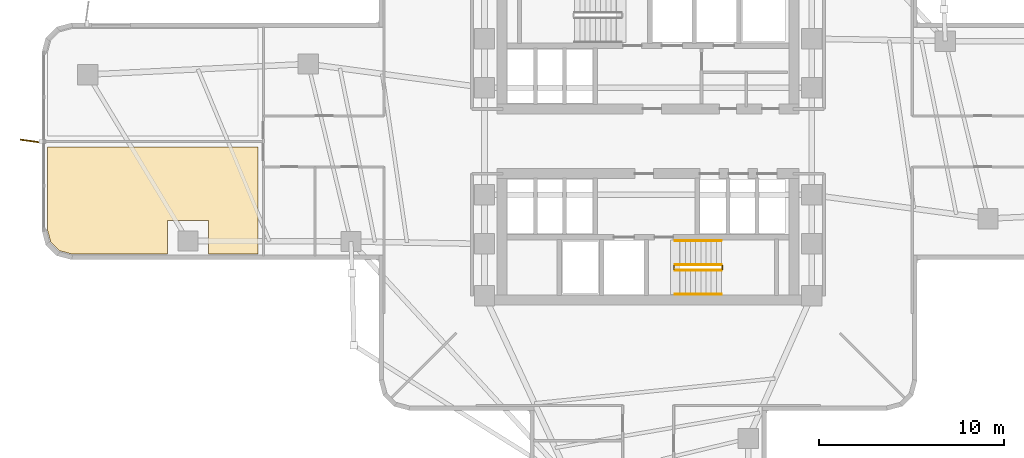
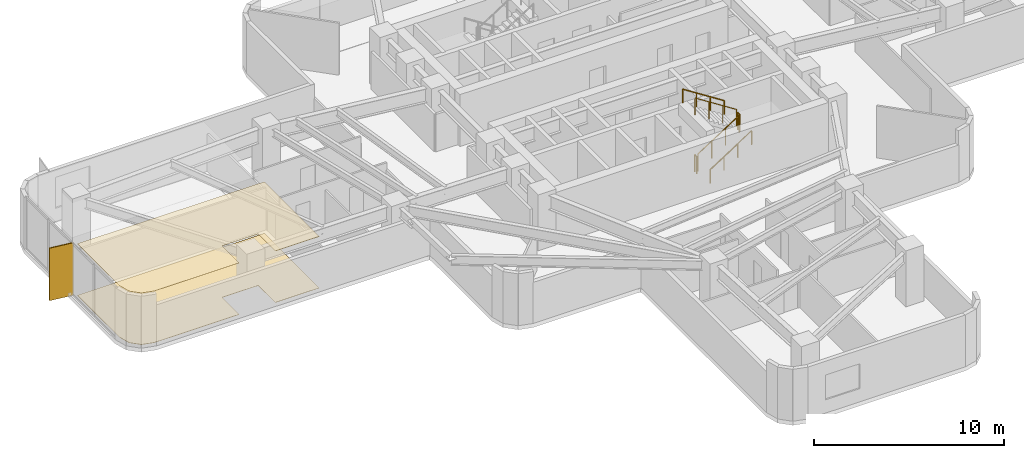
# One storey, part 12 of 14: 6 railings, 2 coverings, 1 shading device.
"""IFC4 building model written with IfcOpenShell, lengths in metres."""

from ifc_helpers import new_model, si_unit, direction, frame, origin, origin_2d, place, context, subcontext, project, spatial, polyline, rectangle, circle, outline, extrude, material, layer, layer_set, type_object, element, save


model = new_model("IFC4")

# Units and contexts
model_context = context("Model", 3, precision=1e-05, world=origin(), true_north=direction((0.0, 1.0)))
body_context = subcontext(model_context, "Body", "Model", "MODEL_VIEW")
ifc_project = project(units=[si_unit("LENGTHUNIT", "METRE"), si_unit("AREAUNIT", "SQUARE_METRE"), si_unit("VOLUMEUNIT", "CUBIC_METRE"), si_unit("PLANEANGLEUNIT", "RADIAN"), si_unit("MASSUNIT", "GRAM", prefix="KILO")], contexts=[model_context])

# Site, building, storey
site_placement = place(None, origin())
site = spatial("IfcSite", under=ifc_project, at=site_placement, CompositionType="ELEMENT")
building_placement = place(site_placement, origin())
building = spatial("IfcBuilding", under=site, at=building_placement, Name="Solmarez Civic Tower", CompositionType="ELEMENT")
storey_placement = place(building_placement, frame((0.0, 0.0, 31.679931640625)))
storey = spatial("IfcBuildingStorey", under=building, at=storey_placement, Name="L07", CompositionType="ELEMENT", Elevation=31.679931640625)

# Coverings
ifc_material_1 = material(Name="Perforated Mineral-Fibre Acoustic Ceiling")
ifc_layer_1 = layer(ifc_material_1, 0.02490234375)
ifc_layer_set_1 = layer_set([ifc_layer_1], Name="Perforated Mineral-Fibre Acoustic Ceiling")
covering_type_1 = type_object("IfcCoveringType", Name="COV-CEIL-ACOUSTIC", PredefinedType="CEILING", material=ifc_layer_set_1)
covering_1_placement = place(storey_placement, frame((0.0, 0.0, 3.315185546875)))
element("IfcCovering", 1, at=covering_1_placement, inside=storey, type_object=covering_type_1, Name="L07 Suspended Acoustic Ceiling 3", PredefinedType="CEILING", context=body_context, shape_type="SweptSolid", body=[
    extrude(outline(polyline([(-32.5, -0.300048828125), (-32.5, -4.760009765625), (-32.31689453125, -5.445068359375), (-31.844970703125, -5.9169921875), (-31.159912109375, -6.10009765625), (-25.988037109375, -6.10009765625), (-25.988037109375, -4.29296875), (-23.7880859375, -4.29296875), (-23.7880859375, -6.10009765625), (-21.110107421875, -6.10009765625), (-21.110107421875, -0.300048828125), (-32.5, -0.300048828125)])), origin(), (0.0, 0.0, 1.0), 0.02490234375),
])
ifc_material_2 = material(Name="Polished Tropical Stone Terrazzo Flooring", Category="masonry")
ifc_layer_2 = layer(ifc_material_2, 0.02001953125)
ifc_layer_set_2 = layer_set([ifc_layer_2], Name="Polished Tropical Stone Terrazzo Flooring")
covering_type_2 = type_object("IfcCoveringType", Name="COV-FLOOR-TERRAZZO", PredefinedType="FLOORING", material=ifc_layer_set_2)
covering_2_placement = place(storey_placement, origin())
element("IfcCovering", 2, at=covering_2_placement, inside=storey, type_object=covering_type_2, Name="L07 Terrazzo Floor Finish 3", PredefinedType="FLOORING", context=body_context, shape_type="SweptSolid", body=[
    extrude(outline(polyline([(-32.5, -0.300048828125), (-32.5, -4.760009765625), (-32.31689453125, -5.445068359375), (-31.844970703125, -5.9169921875), (-31.159912109375, -6.10009765625), (-25.988037109375, -6.10009765625), (-25.988037109375, -4.29296875), (-23.7880859375, -4.29296875), (-23.7880859375, -6.10009765625), (-21.110107421875, -6.10009765625), (-21.110107421875, -0.300048828125), (-32.5, -0.300048828125)])), origin(), (0.0, 0.0, 1.0), 0.02001953125),
])

# Shading device
ifc_material_3 = material(Name="Bronze Anodised Aluminium EN AW-6063 T6", Category="aluminium")
ifc_layer_3 = layer(ifc_material_3, 0.06494140625)
ifc_layer_set_3 = layer_set([ifc_layer_3], Name="Bronze Anodised Aluminium EN AW-6063 T6")
shading_device_type = type_object("IfcShadingDeviceType", Name="FIN-BRONZE-Z12", PredefinedType="USERDEFINED", material=ifc_layer_set_3)
shading_device_placement = place(storey_placement, frame((-33.304931640625, 0.0, -0.039794921875), z_axis=(0.0, 0.0, 1.0), x_axis=(-0.990434953607, 0.137980443087, 0.0)))
element("IfcShadingDevice", 3, at=shading_device_placement, inside=storey, type_object=shading_device_type, Name="L07 Anodised Bronze Solar Fin FIN-L07-01", ObjectType="FIN", PredefinedType="USERDEFINED", context=body_context, shape_type="SweptSolid", body=[
    extrude(rectangle(XDim=1.35009765625, YDim=0.06494140625, at=origin_2d()), origin(), (0.0, 0.0, 1.0), 3.3798828125),
])

# Railings
ifc_material_4 = material(Name="Painted Steel Stairwell Safety Guard", Category="steel")
railing_type_1 = type_object("IfcRailingType", Name="GUARD-STAIR-1120", PredefinedType="BALUSTRADE", material=ifc_material_4)
railing_1_placement = place(storey_placement, frame((1.449951171875, -6.969970703125, 0.18017578125)))
element("IfcRailing", 4, at=railing_1_placement, inside=storey, type_object=railing_type_1, Name="L07 ST-2 stair guard 1", PredefinedType="BALUSTRADE", context=body_context, shape_type="SweptSolid", body=[
    extrude(circle(Radius=0.02392578125, at=origin_2d()), frame((0.0, 0.0, 1.09619140625), z_axis=(0.841199657755, 0.0, 0.540724639528), x_axis=(0.0, 1.0, 0.0)), (0.0, 0.0, 1.0), 2.995849609375),
    extrude(circle(Radius=0.02099609375, at=origin_2d()), origin(), (0.0, 0.0, 1.0), 1.072021484375),
    extrude(circle(Radius=0.02099609375, at=origin_2d()), frame((0.840087890625, 0.0, 0.5400390625)), (0.0, 0.0, 1.0), 1.072021484375),
    extrude(circle(Radius=0.02099609375, at=origin_2d()), frame((1.679931640625, 0.0, 1.079833984375)), (0.0, 0.0, 1.0), 1.072021484375),
    extrude(circle(Radius=0.02099609375, at=origin_2d()), frame((2.52001953125, 0.0, 1.619873046875)), (0.0, 0.0, 1.0), 1.072021484375),
])
railing_2_placement = place(storey_placement, frame((4.02001953125, -6.919921875, 1.800048828125)))
element("IfcRailing", 5, at=railing_2_placement, inside=storey, type_object=railing_type_1, Name="L07 ST-2 stair guard 2", PredefinedType="BALUSTRADE", context=body_context, shape_type="SweptSolid", body=[
    extrude(circle(Radius=0.02392578125, at=origin_2d()), frame((0.0, 0.0, 1.09619140625), z_axis=(0.0, 1.0, 0.0), x_axis=(-1.0, 0.0, 0.0)), (0.0, 0.0, 1.0), 0.199951171875),
    extrude(circle(Radius=0.02099609375, at=origin_2d()), origin(), (0.0, 0.0, 1.0), 1.072021484375),
    extrude(circle(Radius=0.02099609375, at=origin_2d()), frame((0.0, 0.199951171875, 0.0)), (0.0, 0.0, 1.0), 1.072021484375),
])
railing_3_placement = place(storey_placement, frame((3.969970703125, -6.669921875, 1.97998046875)))
element("IfcRailing", 6, at=railing_3_placement, inside=storey, type_object=railing_type_1, Name="L07 ST-2 stair guard 3", PredefinedType="BALUSTRADE", context=body_context, shape_type="SweptSolid", body=[
    extrude(circle(Radius=0.02392578125, at=origin_2d()), frame((0.0, 0.0, 1.09619140625), z_axis=(-0.841162588446, 0.0, 0.540782303519), x_axis=(0.0, -1.0, 0.0)), (0.0, 0.0, 1.0), 2.995849609375),
    extrude(circle(Radius=0.02099609375, at=origin_2d()), origin(), (0.0, 0.0, 1.0), 1.072021484375),
    extrude(circle(Radius=0.02099609375, at=origin_2d()), frame((-0.840087890625, 0.0, 0.5400390625)), (0.0, 0.0, 1.0), 1.072021484375),
    extrude(circle(Radius=0.02099609375, at=origin_2d()), frame((-1.679931640625, 0.0, 1.080078125)), (0.0, 0.0, 1.0), 1.072021484375),
    extrude(circle(Radius=0.02099609375, at=origin_2d()), frame((-2.52001953125, 0.0, 1.6201171875)), (0.0, 0.0, 1.0), 1.072021484375),
])
railing_4_placement = place(storey_placement, frame((1.39990234375, -6.919921875, 0.0)))
element("IfcRailing", 7, at=railing_4_placement, inside=storey, type_object=railing_type_1, Name="L07 ST-2 stair guard 4", PredefinedType="BALUSTRADE", context=body_context, shape_type="SweptSolid", body=[
    extrude(circle(Radius=0.02392578125, at=origin_2d()), frame((0.0, 0.0, 1.09619140625), z_axis=(0.0, 1.0, 0.0), x_axis=(-1.0, 0.0, 0.0)), (0.0, 0.0, 1.0), 0.199951171875),
    extrude(circle(Radius=0.02099609375, at=origin_2d()), origin(), (0.0, 0.0, 1.0), 1.072021484375),
    extrude(circle(Radius=0.02099609375, at=origin_2d()), frame((0.0, 0.199951171875, 0.0)), (0.0, 0.0, 1.0), 1.072021484375),
])
ifc_material_5 = material(Name="Brushed Stainless Steel Tube Handrail", Category="steel")
railing_type_2 = type_object("IfcRailingType", Name="HANDRAIL-STAIR-900", PredefinedType="HANDRAIL", material=ifc_material_5)
railing_5_placement = place(storey_placement, frame((1.449951171875, -8.27001953125, 0.18017578125)))
element("IfcRailing", 8, at=railing_5_placement, inside=storey, type_object=railing_type_2, Name="L07 ST-2 stair handrail 1", PredefinedType="HANDRAIL", context=body_context, shape_type="SweptSolid", body=[
    extrude(circle(Radius=0.02392578125, at=origin_2d()), frame((0.0, 0.0, 0.8759765625), z_axis=(0.841199657755, 0.0, 0.540724639528), x_axis=(0.0, 1.0, 0.0)), (0.0, 0.0, 1.0), 2.995849609375),
    extrude(circle(Radius=0.02099609375, at=origin_2d()), origin(), (0.0, 0.0, 1.0), 0.851806640625),
    extrude(circle(Radius=0.02099609375, at=origin_2d()), frame((0.840087890625, 0.0, 0.5400390625)), (0.0, 0.0, 1.0), 0.851806640625),
    extrude(circle(Radius=0.02099609375, at=origin_2d()), frame((1.679931640625, 0.0, 1.079833984375)), (0.0, 0.0, 1.0), 0.851806640625),
    extrude(circle(Radius=0.02099609375, at=origin_2d()), frame((2.52001953125, 0.0, 1.619873046875)), (0.0, 0.0, 1.0), 0.851806640625),
])
railing_6_placement = place(storey_placement, frame((3.969970703125, -5.3701171875, 1.97998046875)))
element("IfcRailing", 9, at=railing_6_placement, inside=storey, type_object=railing_type_2, Name="L07 ST-2 stair handrail 2", PredefinedType="HANDRAIL", context=body_context, shape_type="SweptSolid", body=[
    extrude(circle(Radius=0.02392578125, at=origin_2d()), frame((0.0, 0.0, 0.8759765625), z_axis=(-0.841162588446, 0.0, 0.540782303519), x_axis=(0.0, -1.0, 0.0)), (0.0, 0.0, 1.0), 2.995849609375),
    extrude(circle(Radius=0.02099609375, at=origin_2d()), origin(), (0.0, 0.0, 1.0), 0.851806640625),
    extrude(circle(Radius=0.02099609375, at=origin_2d()), frame((-0.840087890625, 0.0, 0.5400390625)), (0.0, 0.0, 1.0), 0.851806640625),
    extrude(circle(Radius=0.02099609375, at=origin_2d()), frame((-1.679931640625, 0.0, 1.080078125)), (0.0, 0.0, 1.0), 0.851806640625),
    extrude(circle(Radius=0.02099609375, at=origin_2d()), frame((-2.52001953125, 0.0, 1.6201171875)), (0.0, 0.0, 1.0), 0.851806640625),
])

save(model, "model.ifc")
